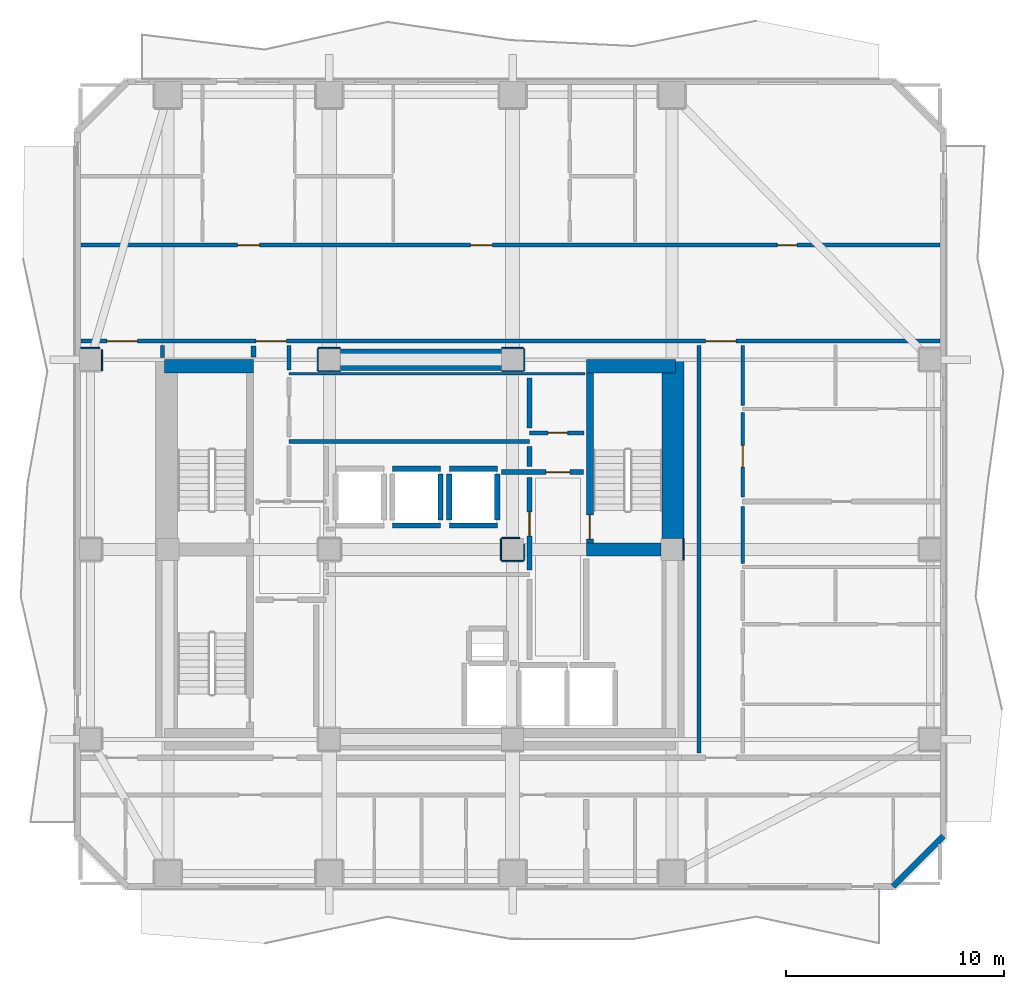
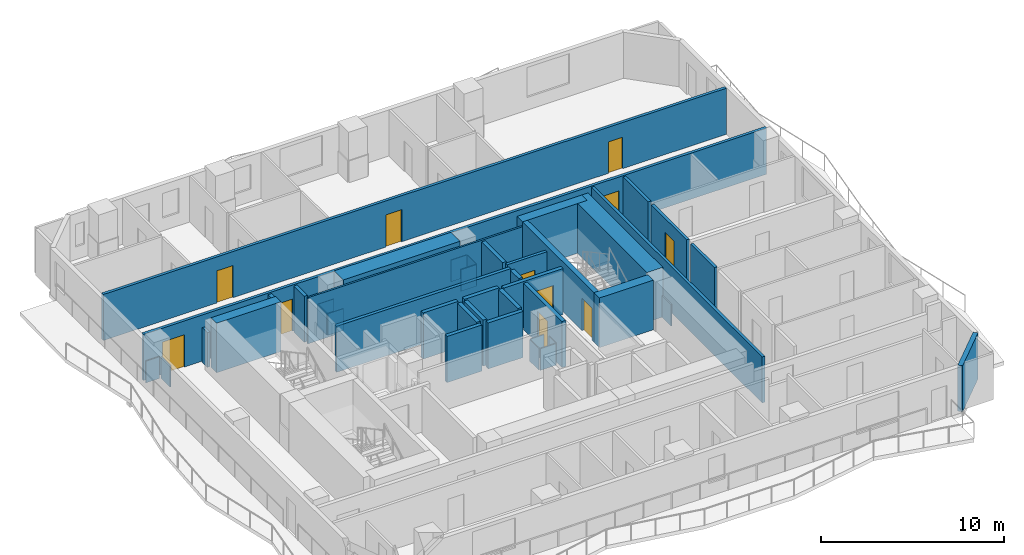
# One storey, part 4 of 11: 43 walls, 11 doors, 11 openings.
"""IFC4 building model written with IfcOpenShell, lengths in metres."""

from ifc_helpers import new_model, si_unit, direction, frame, frame_2d, origin, place, context, subcontext, project, spatial, rectangle, extrude, material, layer, layer_set, type_object, element, fill, save


model = new_model("IFC4")

# Units and contexts
model_context = context("Model", 3, precision=1e-05, world=origin(), true_north=direction((0.0, 1.0)))
body_context = subcontext(model_context, "Body", "Model", "MODEL_VIEW")
ifc_project = project(units=[si_unit("LENGTHUNIT", "METRE"), si_unit("AREAUNIT", "SQUARE_METRE"), si_unit("VOLUMEUNIT", "CUBIC_METRE"), si_unit("PLANEANGLEUNIT", "RADIAN"), si_unit("MASSUNIT", "GRAM", prefix="KILO")], contexts=[model_context])

# Site, building, storey
site_placement = place(None, origin())
site = spatial("IfcSite", under=ifc_project, at=site_placement, CompositionType="ELEMENT")
building_placement = place(site_placement, origin())
building = spatial("IfcBuilding", under=site, at=building_placement, Name="Solanera Arch Residences", CompositionType="ELEMENT")
storey_placement = place(building_placement, frame((0.0, 0.0, 149.239990234375)))
storey = spatial("IfcBuildingStorey", under=building, at=storey_placement, Name="L43", CompositionType="ELEMENT", Elevation=149.239990234375)

# Walls
ifc_material_1 = material(Name="Fire-Rated Gypsum Stud Partition", Category="gypsum")
ifc_layer_1 = layer(ifc_material_1, 0.06005859375)
ifc_layer_set_1 = layer_set([ifc_layer_1], Name="Fire-Rated Gypsum Stud Partition")
wall_type_1 = type_object("IfcWallType", Name="Column Acoustic Furring Wall 60", PredefinedType="PARTITIONING", material=ifc_layer_set_1)
for number, where, z_axis, x_axis, name in (
    (1, (20.300048828125, 38.867919921875, 0.0), (0.0, 0.0, 1.0), (1.0, 0.0, 0.0), "L43 Column Furring 3S"),
    (2, (20.300048828125, 39.931884765625, 0.0), (0.0, 0.0, 1.0), (1.0, 0.0, 0.0), "L43 Column Furring 3N"),
    (3, (20.26806640625, 38.89990234375, 0.0), (0.0, 0.0, 1.0), (0.0, 1.0, 0.0), "L43 Column Furring 3W"),
    (4, (28.699951171875, 38.867919921875, 0.0), (0.0, 0.0, 1.0), (1.0, 0.0, 0.0), "L43 Column Furring 4S"),
    (5, (28.699951171875, 39.931884765625, 0.0), (0.0, 0.0, 1.0), (1.0, 0.0, 0.0), "L43 Column Furring 4N"),
    (6, (29.73193359375, 38.89990234375, 0.0), (0.0, 0.0, 1.0), (0.0, 1.0, 0.0), "L43 Column Furring 4E"),
):
    element("IfcWall", number, at=place(storey_placement, frame(where, z_axis=z_axis, x_axis=x_axis)), inside=storey, type_object=wall_type_1, Name=name, PredefinedType="PARTITIONING", context=body_context, shape_type="SweptSolid", body=[
        extrude(rectangle(XDim=1.0, YDim=0.06005859375, at=frame_2d((0.5, 0.0))), origin(), (0.0, 0.0, 1.0), 1.449951171875),
    ])
wall_1_placement = place(storey_placement, frame((37.031982421875, 30.2099609375, 0.0), z_axis=(0.0, 0.0, 1.0), x_axis=(0.0, 1.0, 0.0)))
element("IfcWall", 7, at=wall_1_placement, inside=storey, type_object=wall_type_1, Name="L43 Column Furring 6E", PredefinedType="PARTITIONING", context=body_context, shape_type="SweptSolid", body=[
    extrude(rectangle(XDim=0.97998046875, YDim=0.06005859375, at=frame_2d((0.489990234375, 0.0))), origin(), (0.0, 0.0, 1.0), 1.449951171875),
])
wall_2_placement = place(storey_placement, frame((28.699951171875, 30.16796875, 0.0), z_axis=(0.0, 0.0, 1.0), x_axis=(1.0, 0.0, 0.0)))
element("IfcWall", 8, at=wall_2_placement, inside=storey, type_object=wall_type_1, Name="L43 Column Furring 8S", PredefinedType="PARTITIONING", context=body_context, shape_type="SweptSolid", body=[
    extrude(rectangle(XDim=1.0, YDim=0.06005859375, at=frame_2d((0.5, 0.0))), origin(), (0.0, 0.0, 1.0), 1.449951171875),
])
wall_3_placement = place(storey_placement, frame((28.699951171875, 31.23193359375, 0.0), z_axis=(0.0, 0.0, 1.0), x_axis=(1.0, 0.0, 0.0)))
element("IfcWall", 9, at=wall_3_placement, inside=storey, type_object=wall_type_1, Name="L43 Column Furring 8N", PredefinedType="PARTITIONING", context=body_context, shape_type="SweptSolid", body=[
    extrude(rectangle(XDim=0.8349609375, YDim=0.06005859375, at=frame_2d((0.41748046875, 0.0))), origin(), (0.0, 0.0, 1.0), 1.449951171875),
])
wall_4_placement = place(storey_placement, frame((28.66796875, 30.199951171875, 0.0), z_axis=(0.0, 0.0, 1.0), x_axis=(0.0, 1.0, 0.0)))
element("IfcWall", 10, at=wall_4_placement, inside=storey, type_object=wall_type_1, Name="L43 Column Furring 8W", PredefinedType="PARTITIONING", context=body_context, shape_type="SweptSolid", body=[
    extrude(rectangle(XDim=1.0, YDim=0.06005859375, at=frame_2d((0.5, 0.0))), origin(), (0.0, 0.0, 1.0), 1.449951171875),
])
wall_5_placement = place(storey_placement, frame((29.73193359375, 30.199951171875, 0.0), z_axis=(0.0, 0.0, 1.0), x_axis=(0.0, 1.0, 0.0)))
element("IfcWall", 11, at=wall_5_placement, inside=storey, type_object=wall_type_1, Name="L43 Column Furring 8E", PredefinedType="PARTITIONING", context=body_context, shape_type="SweptSolid", body=[
    extrude(rectangle(XDim=0.7470703125, YDim=0.06005859375, at=frame_2d((0.37353515625, 0.0))), origin(), (0.0, 0.0, 1.0), 1.449951171875),
])
wall_6_placement = place(storey_placement, frame((9.409912109375, 39.931884765625, 0.0), z_axis=(0.0, 0.0, 1.0), x_axis=(1.0, 0.0, 0.0)))
element("IfcWall", 12, at=wall_6_placement, inside=storey, type_object=wall_type_1, Name="L43 Column Furring 21N", PredefinedType="PARTITIONING", context=body_context, shape_type="SweptSolid", body=[
    extrude(rectangle(XDim=0.87109375, YDim=0.06005859375, at=frame_2d((0.435546875, 0.0))), origin(), (0.0, 0.0, 1.0), 1.449951171875),
])
wall_7_placement = place(storey_placement, frame((10.382080078125, 38.89990234375, 0.0), z_axis=(0.0, 0.0, 1.0), x_axis=(0.0, 1.0, 0.0)))
element("IfcWall", 13, at=wall_7_placement, inside=storey, type_object=wall_type_1, Name="L43 Column Furring 21E", PredefinedType="PARTITIONING", context=body_context, shape_type="SweptSolid", body=[
    extrude(rectangle(XDim=0.9560546875, YDim=0.06005859375, at=frame_2d((0.47802734375, 0.0))), origin(), (0.0, 0.0, 1.0), 1.449951171875),
])
ifc_material_2 = material(Name="Concrete C55/67 (f'c = 60 MPa)", Category="concrete")
ifc_layer_2 = layer(ifc_material_2, 1.0)
ifc_layer_set_2 = layer_set([ifc_layer_2], Name="Concrete C55/67 (f'c = 60 MPa)")
wall_type_2 = type_object("IfcWallType", Name="Core Shear Wall CW-1000", PredefinedType="SHEAR", material=ifc_layer_set_2)
wall_8_placement = place(storey_placement, frame((36.56005859375, 31.205078125, 0.0), z_axis=(0.0, 0.0, 1.0), x_axis=(0.0, 1.0, 0.0)))
element("IfcWall", 14, at=wall_8_placement, inside=storey, type_object=wall_type_2, Name="L43 East Core North Shear Wall", PredefinedType="SHEAR", context=body_context, shape_type="SweptSolid", body=[
    extrude(rectangle(XDim=8.19482421875, YDim=1.0, at=frame_2d((4.097412109375, 0.0))), origin(), (0.0, 0.0, 1.0), 3.320068359375),
])
wall_9_placement = place(storey_placement, frame((21.304931640625, 39.39990234375, 0.0), z_axis=(0.0, 0.0, 1.0), x_axis=(1.0, 0.0, 0.0)))
element("IfcWall", 15, at=wall_9_placement, inside=storey, type_object=wall_type_2, Name="L43 Central North Core Shear Wall", PredefinedType="SHEAR", context=body_context, shape_type="SweptSolid", body=[
    extrude(rectangle(XDim=7.39013671875, YDim=1.0, at=frame_2d((3.695068359375, 0.0))), origin(), (0.0, 0.0, 1.0), 3.320068359375),
])

# Wall, opening, door
ifc_material_3 = material(Name="Concrete C40/50 (f'c = 45 MPa)", Category="concrete")
ifc_layer_3 = layer(ifc_material_3, 0.320068359375)
ifc_layer_set_3 = layer_set([ifc_layer_3], Name="Concrete C40/50 (f'c = 45 MPa)")
wall_type_3 = type_object("IfcWallType", Name="Core Shear Wall CW-320", PredefinedType="SHEAR", material=ifc_layer_set_3)
wall_10_placement = place(storey_placement, frame((32.739990234375, 31.0, 0.0), z_axis=(0.0, 0.0, 1.0), x_axis=(0.0, 1.0, 0.0)))
wall_10 = element("IfcWall", 16, at=wall_10_placement, inside=storey, type_object=wall_type_3, Name="L43 Stair ST-T2 West Shear Wall", PredefinedType="SHEAR", context=body_context, shape_type="SweptSolid", body=[
    extrude(rectangle(XDim=7.800048828125, YDim=0.320068359375, at=frame_2d((3.89990234375, 0.0))), origin(), (0.0, 0.0, 1.0), 3.320068359375),
])
opening_1_placement = place(wall_10_placement, frame((0.18994140625, 0.0, 0.0)))
opening_1 = element("IfcOpeningElement", 17, at=opening_1_placement, cuts=wall_10, Name="Opening DF-01", PredefinedType="OPENING", context=body_context, shape_type="SweptSolid", body=[
    extrude(rectangle(XDim=1.10009765625, YDim=2.14990234375, at=frame_2d((0.550048828125, 1.074951171875))), frame((0.0, 0.169921875, 0.0), z_axis=(0.0, -1.0, 0.0), x_axis=(1.0, 0.0, 0.0)), (0.0, 0.0, 1.0), 0.3401),
])
ifc_material_4 = material(Name="Fire-Rated Architectural Hardwood", Category="wood")
door_type_1 = type_object("IfcDoorType", Name="Stair Exit Fire Door DF-01", OperationType="NOTDEFINED", PredefinedType="DOOR", material=ifc_material_4)
door_1_placement = place(opening_1_placement, origin())
door_1 = element("IfcDoor", 18, at=door_1_placement, inside=storey, type_object=door_type_1, Name="DR-L43-STAIR-ST-T2", OperationType="SINGLE_SWING_LEFT", OverallHeight=2.14990234375, OverallWidth=1.10009765625, PredefinedType="DOOR", context=body_context, shape_type="SweptSolid", body=[
    extrude(rectangle(XDim=1.10009765625, YDim=2.14990234375, at=frame_2d((0.550048828125, 1.074951171875))), frame((0.0, 0.02490234375, 0.0), z_axis=(0.0, -1.0, 0.0), x_axis=(1.0, 0.0, 0.0)), (0.0, 0.0, 1.0), 0.050048828125),
])
fill(opening_1, door_1)

# Walls
ifc_material_5 = material(Name="Concrete C40/50 (f'c = 45 MPa)", Category="concrete")
ifc_layer_4 = layer(ifc_material_5, 0.60009765625)
ifc_layer_set_4 = layer_set([ifc_layer_4], Name="Concrete C40/50 (f'c = 45 MPa)")
wall_type_4 = type_object("IfcWallType", Name="Core Shear Wall CW-600", PredefinedType="SHEAR", material=ifc_layer_set_4)
wall_11_placement = place(storey_placement, frame((13.239990234375, 39.10009765625, 0.0), z_axis=(0.0, 0.0, 1.0), x_axis=(1.0, 0.0, 0.0)))
element("IfcWall", 19, at=wall_11_placement, inside=storey, type_object=wall_type_4, Name="L43 North-West Core Shear Wall", PredefinedType="SHEAR", context=body_context, shape_type="SweptSolid", body=[
    extrude(rectangle(XDim=4.080078125, YDim=0.60009765625, at=frame_2d((2.0400390625, 0.0))), origin(), (0.0, 0.0, 1.0), 3.320068359375),
])
wall_12_placement = place(storey_placement, frame((32.580078125, 39.10009765625, 0.0), z_axis=(0.0, 0.0, 1.0), x_axis=(1.0, 0.0, 0.0)))
element("IfcWall", 20, at=wall_12_placement, inside=storey, type_object=wall_type_4, Name="L43 North-East Core Shear Wall", PredefinedType="SHEAR", context=body_context, shape_type="SweptSolid", body=[
    extrude(rectangle(XDim=4.079833984375, YDim=0.60009765625, at=frame_2d((2.0400390625, 0.0))), origin(), (0.0, 0.0, 1.0), 3.320068359375),
])
wall_13_placement = place(storey_placement, frame((32.580078125, 30.699951171875, 0.0), z_axis=(0.0, 0.0, 1.0), x_axis=(1.0, 0.0, 0.0)))
element("IfcWall", 21, at=wall_13_placement, inside=storey, type_object=wall_type_4, Name="L43 East Stair Far-Landing Shear Wall", PredefinedType="SHEAR", context=body_context, shape_type="SweptSolid", body=[
    extrude(rectangle(XDim=3.4150390625, YDim=0.60009765625, at=frame_2d((1.70751953125, 0.0))), origin(), (0.0, 0.0, 1.0), 3.320068359375),
])

# Wall, opening, door
ifc_material_6 = material(Name="Autoclaved Aerated Concrete Blockwork", Category="masonry")
ifc_layer_5 = layer(ifc_material_6, 0.179931640625)
ifc_layer_set_5 = layer_set([ifc_layer_5], Name="Autoclaved Aerated Concrete Blockwork")
wall_type_5 = type_object("IfcWallType", Name="Corridor Fire Partition 180", PredefinedType="PARTITIONING", material=ifc_layer_set_5)
wall_14_placement = place(storey_placement, frame((29.97509765625, 36.050048828125, 0.0), z_axis=(0.0, 0.0, 1.0), x_axis=(1.0, 0.0, 0.0)))
wall_14 = element("IfcWall", 22, at=wall_14_placement, inside=storey, type_object=wall_type_5, Name="L43 Interior Partition H11", PredefinedType="PARTITIONING", context=body_context, shape_type="SweptSolid", body=[
    extrude(rectangle(XDim=2.5048828125, YDim=0.179931640625, at=frame_2d((1.25244140625, 0.0))), origin(), (0.0, 0.0, 1.0), 3.080078125),
])
opening_2_placement = place(wall_14_placement, frame((0.85205078125, 0.0, 0.0)))
opening_2 = element("IfcOpeningElement", 23, at=opening_2_placement, cuts=wall_14, Name="Opening DI-02", PredefinedType="OPENING", context=body_context, shape_type="SweptSolid", body=[
    extrude(rectangle(XDim=0.89990234375, YDim=2.10009765625, at=frame_2d((0.449951171875, 1.050048828125))), frame((0.0, 0.10009765625, 0.0), z_axis=(0.0, -1.0, 0.0), x_axis=(1.0, 0.0, 0.0)), (0.0, 0.0, 1.0), 0.1999),
])
ifc_material_7 = material(Name="Fire-Rated Architectural Hardwood", Category="wood")
door_type_2 = type_object("IfcDoorType", Name="Suite Room Swing Door DI-02", OperationType="NOTDEFINED", PredefinedType="DOOR", material=ifc_material_7)
door_2_placement = place(opening_2_placement, origin())
door_2 = element("IfcDoor", 24, at=door_2_placement, inside=storey, type_object=door_type_2, Name="DR-L43-IN-015", OperationType="SINGLE_SWING_RIGHT", OverallHeight=2.10009765625, OverallWidth=0.89990234375, PredefinedType="DOOR", context=body_context, shape_type="SweptSolid", body=[
    extrude(rectangle(XDim=0.89990234375, YDim=2.10009765625, at=frame_2d((0.449951171875, 1.050048828125))), frame((0.0, 0.02490234375, 0.0), z_axis=(0.0, -1.0, 0.0), x_axis=(1.0, 0.0, 0.0)), (0.0, 0.0, 1.0), 0.050048828125),
])
fill(opening_2, door_2)

# Wall, openings, doors
wall_15_placement = place(storey_placement, frame((9.406982421875, 40.25, 0.0), z_axis=(0.0, 0.0, 1.0), x_axis=(1.0, 0.0, 0.0)))
wall_15 = element("IfcWall", 25, at=wall_15_placement, inside=storey, type_object=wall_type_5, Name="L43 Interior Partition H12", PredefinedType="PARTITIONING", context=body_context, shape_type="SweptSolid", body=[
    extrude(rectangle(XDim=39.385986328125, YDim=0.179931640625, at=frame_2d((19.69287109375, 0.0))), origin(), (0.0, 0.0, 1.0), 3.080078125),
])
opening_3_placement = place(wall_15_placement, frame((8.028076171875, 0.0, 0.0)))
opening_3 = element("IfcOpeningElement", 26, at=opening_3_placement, cuts=wall_15, Name="Opening DF-03", PredefinedType="OPENING", context=body_context, shape_type="SweptSolid", body=[
    extrude(rectangle(XDim=1.39990234375, YDim=2.14990234375, at=frame_2d((0.699951171875, 1.074951171875))), frame((0.0, 0.10009765625, 0.0), z_axis=(0.0, -1.0, 0.0), x_axis=(1.0, 0.0, 0.0)), (0.0, 0.0, 1.0), 0.1999),
])
opening_4_placement = place(wall_15_placement, frame((1.19189453125, 0.0, 0.0)))
opening_4 = element("IfcOpeningElement", 27, at=opening_4_placement, cuts=wall_15, Name="Opening DF-03", PredefinedType="OPENING", context=body_context, shape_type="SweptSolid", body=[
    extrude(rectangle(XDim=1.39990234375, YDim=2.14990234375, at=frame_2d((0.699951171875, 1.074951171875))), frame((0.0, 0.10009765625, 0.0), z_axis=(0.0, -1.0, 0.0), x_axis=(1.0, 0.0, 0.0)), (0.0, 0.0, 1.0), 0.1999),
])
opening_5_placement = place(wall_15_placement, frame((28.64306640625, 0.0, 0.0)))
opening_5 = element("IfcOpeningElement", 28, at=opening_5_placement, cuts=wall_15, Name="Opening DF-03", PredefinedType="OPENING", context=body_context, shape_type="SweptSolid", body=[
    extrude(rectangle(XDim=1.39990234375, YDim=2.14990234375, at=frame_2d((0.699951171875, 1.074951171875))), frame((0.0, 0.10009765625, 0.0), z_axis=(0.0, -1.0, 0.0), x_axis=(1.0, 0.0, 0.0)), (0.0, 0.0, 1.0), 0.1999),
])
ifc_material_8 = material(Name="Fire-Rated Architectural Hardwood", Category="wood")
door_type_3 = type_object("IfcDoorType", Name="Corridor Smoke Door DF-03", OperationType="NOTDEFINED", PredefinedType="DOOR", material=ifc_material_8)
door_3_placement = place(opening_3_placement, origin())
door_3 = element("IfcDoor", 29, at=door_3_placement, inside=storey, type_object=door_type_3, Name="DR-L43-IN-009", OperationType="SINGLE_SWING_RIGHT", OverallHeight=2.14990234375, OverallWidth=1.39990234375, PredefinedType="DOOR", context=body_context, shape_type="SweptSolid", body=[
    extrude(rectangle(XDim=1.39990234375, YDim=2.14990234375, at=frame_2d((0.699951171875, 1.074951171875))), frame((0.0, 0.02490234375, 0.0), z_axis=(0.0, -1.0, 0.0), x_axis=(1.0, 0.0, 0.0)), (0.0, 0.0, 1.0), 0.050048828125),
])
fill(opening_3, door_3)
door_4_placement = place(opening_4_placement, origin())
door_4 = element("IfcDoor", 30, at=door_4_placement, inside=storey, type_object=door_type_3, Name="DR-L43-IN-012", OperationType="SINGLE_SWING_LEFT", OverallHeight=2.14990234375, OverallWidth=1.39990234375, PredefinedType="DOOR", context=body_context, shape_type="SweptSolid", body=[
    extrude(rectangle(XDim=1.39990234375, YDim=2.14990234375, at=frame_2d((0.699951171875, 1.074951171875))), frame((0.0, 0.02490234375, 0.0), z_axis=(0.0, -1.0, 0.0), x_axis=(1.0, 0.0, 0.0)), (0.0, 0.0, 1.0), 0.050048828125),
])
fill(opening_4, door_4)
door_5_placement = place(opening_5_placement, origin())
door_5 = element("IfcDoor", 31, at=door_5_placement, inside=storey, type_object=door_type_3, Name="DR-L43-IN-013", OperationType="SINGLE_SWING_RIGHT", OverallHeight=2.14990234375, OverallWidth=1.39990234375, PredefinedType="DOOR", context=body_context, shape_type="SweptSolid", body=[
    extrude(rectangle(XDim=1.39990234375, YDim=2.14990234375, at=frame_2d((0.699951171875, 1.074951171875))), frame((0.0, 0.02490234375, 0.0), z_axis=(0.0, -1.0, 0.0), x_axis=(1.0, 0.0, 0.0)), (0.0, 0.0, 1.0), 0.050048828125),
])
fill(opening_5, door_5)

wall_16_placement = place(storey_placement, frame((9.406982421875, 44.64990234375, 0.0), z_axis=(0.0, 0.0, 1.0), x_axis=(1.0, 0.0, 0.0)))
wall_16 = element("IfcWall", 32, at=wall_16_placement, inside=storey, type_object=wall_type_5, Name="L43 Interior Partition H13", PredefinedType="PARTITIONING", context=body_context, shape_type="SweptSolid", body=[
    extrude(rectangle(XDim=39.385986328125, YDim=0.179931640625, at=frame_2d((19.69287109375, 0.0))), origin(), (0.0, 0.0, 1.0), 3.080078125),
])
opening_6_placement = place(wall_16_placement, frame((7.193115234375, 0.0, 0.0)))
opening_6 = element("IfcOpeningElement", 33, at=opening_6_placement, cuts=wall_16, Name="Opening DI-01", PredefinedType="OPENING", context=body_context, shape_type="SweptSolid", body=[
    extrude(rectangle(XDim=1.0, YDim=2.14990234375, at=frame_2d((0.5, 1.074951171875))), frame((0.0, 0.10009765625, 0.0), z_axis=(0.0, -1.0, 0.0), x_axis=(1.0, 0.0, 0.0)), (0.0, 0.0, 1.0), 0.1999),
])
opening_7_placement = place(wall_16_placement, frame((17.865966796875, 0.0, 0.0)))
opening_7 = element("IfcOpeningElement", 34, at=opening_7_placement, cuts=wall_16, Name="Opening DI-01", PredefinedType="OPENING", context=body_context, shape_type="SweptSolid", body=[
    extrude(rectangle(XDim=1.0, YDim=2.14990234375, at=frame_2d((0.5, 1.074951171875))), frame((0.0, 0.10009765625, 0.0), z_axis=(0.0, -1.0, 0.0), x_axis=(1.0, 0.0, 0.0)), (0.0, 0.0, 1.0), 0.1999),
])
opening_8_placement = place(wall_16_placement, frame((31.928955078125, 0.0, 0.0)))
opening_8 = element("IfcOpeningElement", 35, at=opening_8_placement, cuts=wall_16, Name="Opening DI-02", PredefinedType="OPENING", context=body_context, shape_type="SweptSolid", body=[
    extrude(rectangle(XDim=0.89990234375, YDim=2.10009765625, at=frame_2d((0.449951171875, 1.050048828125))), frame((0.0, 0.10009765625, 0.0), z_axis=(0.0, -1.0, 0.0), x_axis=(1.0, 0.0, 0.0)), (0.0, 0.0, 1.0), 0.1999),
])
door_6_placement = place(opening_8_placement, origin())
door_6 = element("IfcDoor", 36, at=door_6_placement, inside=storey, type_object=door_type_2, Name="DR-L43-IN-034", OperationType="SINGLE_SWING_LEFT", OverallHeight=2.10009765625, OverallWidth=0.89990234375, PredefinedType="DOOR", context=body_context, shape_type="SweptSolid", body=[
    extrude(rectangle(XDim=0.89990234375, YDim=2.10009765625, at=frame_2d((0.449951171875, 1.050048828125))), frame((0.0, 0.02490234375, 0.0), z_axis=(0.0, -1.0, 0.0), x_axis=(1.0, 0.0, 0.0)), (0.0, 0.0, 1.0), 0.050048828125),
])
fill(opening_8, door_6)
ifc_material_9 = material(Name="Fire-Rated Architectural Hardwood", Category="wood")
door_type_4 = type_object("IfcDoorType", Name="Unit Entrance Fire Door DI-01", OperationType="NOTDEFINED", PredefinedType="DOOR", material=ifc_material_9)
door_7_placement = place(opening_6_placement, origin())
door_7 = element("IfcDoor", 37, at=door_7_placement, inside=storey, type_object=door_type_4, Name="DR-L43-IN-026", OperationType="SINGLE_SWING_LEFT", OverallHeight=2.14990234375, OverallWidth=1.0, PredefinedType="DOOR", context=body_context, shape_type="SweptSolid", body=[
    extrude(rectangle(XDim=1.0, YDim=2.14990234375, at=frame_2d((0.5, 1.074951171875))), frame((0.0, 0.02490234375, 0.0), z_axis=(0.0, -1.0, 0.0), x_axis=(1.0, 0.0, 0.0)), (0.0, 0.0, 1.0), 0.050048828125),
])
fill(opening_6, door_7)
door_8_placement = place(opening_7_placement, origin())
door_8 = element("IfcDoor", 38, at=door_8_placement, inside=storey, type_object=door_type_4, Name="DR-L43-IN-031", OperationType="SINGLE_SWING_RIGHT", OverallHeight=2.14990234375, OverallWidth=1.0, PredefinedType="DOOR", context=body_context, shape_type="SweptSolid", body=[
    extrude(rectangle(XDim=1.0, YDim=2.14990234375, at=frame_2d((0.5, 1.074951171875))), frame((0.0, 0.02490234375, 0.0), z_axis=(0.0, -1.0, 0.0), x_axis=(1.0, 0.0, 0.0)), (0.0, 0.0, 1.0), 0.050048828125),
])
fill(opening_7, door_8)

# Walls
wall_17_placement = place(storey_placement, frame((13.14990234375, 39.5, 0.0), z_axis=(0.0, 0.0, 1.0), x_axis=(0.0, 1.0, 0.0)))
element("IfcWall", 39, at=wall_17_placement, inside=storey, type_object=wall_type_5, Name="L43 Interior Partition V9", PredefinedType="PARTITIONING", context=body_context, shape_type="SweptSolid", body=[
    extrude(rectangle(XDim=0.56201171875, YDim=0.179931640625, at=frame_2d((0.281005859375, 0.0))), origin(), (0.0, 0.0, 1.0), 2.31494140625),
])
wall_18_placement = place(storey_placement, frame((37.75, 21.367919921875, 0.0), z_axis=(0.0, 0.0, 1.0), x_axis=(0.0, 1.0, 0.0)))
element("IfcWall", 40, at=wall_18_placement, inside=storey, type_object=wall_type_5, Name="L43 Interior Partition V11", PredefinedType="PARTITIONING", context=body_context, shape_type="SweptSolid", body=[
    extrude(rectangle(XDim=18.694091796875, YDim=0.179931640625, at=frame_2d((9.34716796875, 0.0))), origin(), (0.0, 0.0, 1.0), 3.080078125),
])
wall_19_placement = place(storey_placement, frame((39.75, 30.068115234375, 0.0), z_axis=(0.0, 0.0, 1.0), x_axis=(0.0, 1.0, 0.0)))
element("IfcWall", 41, at=wall_19_placement, inside=storey, type_object=wall_type_5, Name="L43 Interior Partition V12 4", PredefinedType="PARTITIONING", context=body_context, shape_type="SweptSolid", body=[
    extrude(rectangle(XDim=2.61376953125, YDim=0.179931640625, at=frame_2d((1.306884765625, 0.0))), origin(), (0.0, 0.0, 1.0), 3.080078125),
])

# Wall, opening, door
wall_20_placement = place(storey_placement, frame((39.75, 33.117919921875, 0.0), z_axis=(0.0, 0.0, 1.0), x_axis=(0.0, 1.0, 0.0)))
wall_20 = element("IfcWall", 42, at=wall_20_placement, inside=storey, type_object=wall_type_5, Name="L43 Interior Partition V12 5", PredefinedType="PARTITIONING", context=body_context, shape_type="SweptSolid", body=[
    extrude(rectangle(XDim=3.859130859375, YDim=0.179931640625, at=frame_2d((1.9296875, 0.0))), origin(), (0.0, 0.0, 1.0), 3.080078125),
])
opening_9_placement = place(wall_20_placement, frame((1.35400390625, 0.0, 0.0)))
opening_9 = element("IfcOpeningElement", 43, at=opening_9_placement, cuts=wall_20, Name="Opening DI-01", PredefinedType="OPENING", context=body_context, shape_type="SweptSolid", body=[
    extrude(rectangle(XDim=1.0, YDim=2.14990234375, at=frame_2d((0.5, 1.074951171875))), frame((0.0, 0.10009765625, 0.0), z_axis=(0.0, -1.0, 0.0), x_axis=(1.0, 0.0, 0.0)), (0.0, 0.0, 1.0), 0.1999),
])
door_9_placement = place(opening_9_placement, origin())
door_9 = element("IfcDoor", 44, at=door_9_placement, inside=storey, type_object=door_type_4, Name="DR-L43-IN-039", OperationType="SINGLE_SWING_RIGHT", OverallHeight=2.14990234375, OverallWidth=1.0, PredefinedType="DOOR", context=body_context, shape_type="SweptSolid", body=[
    extrude(rectangle(XDim=1.0, YDim=2.14990234375, at=frame_2d((0.5, 1.074951171875))), frame((0.0, 0.02490234375, 0.0), z_axis=(0.0, -1.0, 0.0), x_axis=(1.0, 0.0, 0.0)), (0.0, 0.0, 1.0), 0.050048828125),
])
fill(opening_9, door_9)

# Walls
wall_21_placement = place(storey_placement, frame((39.75, 37.31298828125, 0.0), z_axis=(0.0, 0.0, 1.0), x_axis=(0.0, 1.0, 0.0)))
element("IfcWall", 45, at=wall_21_placement, inside=storey, type_object=wall_type_5, Name="L43 Interior Partition V12 6", PredefinedType="PARTITIONING", context=body_context, shape_type="SweptSolid", body=[
    extrude(rectangle(XDim=2.7490234375, YDim=0.179931640625, at=frame_2d((1.37451171875, 0.0))), origin(), (0.0, 0.0, 1.0), 3.080078125),
])
ifc_material_10 = material(Name="Precast Concrete C35/45", Category="concrete")
ifc_layer_6 = layer(ifc_material_10, 0.280029296875)
ifc_layer_set_6 = layer_set([ifc_layer_6], Name="Precast Concrete C35/45")
wall_type_6 = type_object("IfcWallType", Name="Exterior Wall Precast Masonry-Frame 280", PredefinedType="STANDARD", material=ifc_layer_set_6)
wall_22_placement = place(storey_placement, frame((48.945068359375, 17.554931640625, 0.0), z_axis=(0.0, 0.0, 1.0), x_axis=(-0.707106781187, -0.707106781187, 0.0)))
element("IfcWall", 46, at=wall_22_placement, inside=storey, type_object=wall_type_6, Name="L43 Tower Exterior Precast Masonry-Frame Wall CH5", PredefinedType="STANDARD", context=body_context, shape_type="SweptSolid", body=[
    extrude(rectangle(XDim=3.252685546875, YDim=0.280029296875, at=frame_2d((1.62646484375, 0.0))), origin(), (0.0, 0.0, 1.0), 3.080078125),
])
ifc_material_11 = material(Name="Autoclaved Aerated Concrete Blockwork", Category="masonry")
ifc_layer_7 = layer(ifc_material_11, 0.199951171875)
ifc_layer_set_7 = layer_set([ifc_layer_7], Name="Autoclaved Aerated Concrete Blockwork")
wall_type_7 = type_object("IfcWallType", Name="Party Wall Acoustic 200", PredefinedType="PARTITIONING", material=ifc_layer_set_7)
wall_23_placement = place(storey_placement, frame((18.949951171875, 35.64990234375, 0.0), z_axis=(0.0, 0.0, 1.0), x_axis=(1.0, 0.0, 0.0)))
element("IfcWall", 47, at=wall_23_placement, inside=storey, type_object=wall_type_7, Name="L43 Interior Partition H7", PredefinedType="PARTITIONING", context=body_context, shape_type="SweptSolid", body=[
    extrude(rectangle(XDim=11.025146484375, YDim=0.199951171875, at=frame_2d((5.5126953125, 0.0))), origin(), (0.0, 0.0, 1.0), 3.080078125),
])
wall_24_placement = place(storey_placement, frame((18.949951171875, 38.91796875, 0.0), z_axis=(0.0, 0.0, 1.0), x_axis=(0.0, 1.0, 0.0)))
element("IfcWall", 48, at=wall_24_placement, inside=storey, type_object=wall_type_7, Name="L43 Interior Partition V7 3", PredefinedType="PARTITIONING", context=body_context, shape_type="SweptSolid", body=[
    extrude(rectangle(XDim=1.134033203125, YDim=0.199951171875, at=frame_2d((0.56689453125, 0.0))), origin(), (0.0, 0.0, 1.0), 3.080078125),
])
ifc_material_12 = material(Name="Autoclaved Aerated Concrete Blockwork", Category="masonry")
ifc_layer_8 = layer(ifc_material_12, 0.239990234375)
ifc_layer_set_8 = layer_set([ifc_layer_8], Name="Autoclaved Aerated Concrete Blockwork")
wall_type_8 = type_object("IfcWallType", Name="Shaft Wall Fire-Rated 240", PredefinedType="PARTITIONING", material=ifc_layer_set_8)
for number, where, z_axis, x_axis, name in (
    (49, (23.699951171875, 31.800048828125, 0.0), (0.0, 0.0, 1.0), (1.0, 0.0, 0.0), "L43 Lift PL-M2 Hoistway Wall S"),
    (50, (23.699951171875, 34.39990234375, 0.0), (0.0, 0.0, 1.0), (1.0, 0.0, 0.0), "L43 Lift PL-M2 Hoistway Wall N"),
):
    element("IfcWall", number, at=place(storey_placement, frame(where, z_axis=z_axis, x_axis=x_axis)), inside=storey, type_object=wall_type_8, Name=name, PredefinedType="PARTITIONING", context=body_context, shape_type="SweptSolid", body=[
        extrude(rectangle(XDim=2.199951171875, YDim=0.239990234375, at=frame_2d((1.10009765625, 0.0))), origin(), (0.0, 0.0, 1.0), 3.080078125),
    ])
wall_25_placement = place(storey_placement, frame((25.89990234375, 32.048095703125, 0.0), z_axis=(0.0, 0.0, 1.0), x_axis=(0.0, 1.0, 0.0)))
element("IfcWall", 51, at=wall_25_placement, inside=storey, type_object=wall_type_8, Name="L43 Lift PL-M2 Hoistway Wall E", PredefinedType="PARTITIONING", context=body_context, shape_type="SweptSolid", body=[
    extrude(rectangle(XDim=2.10400390625, YDim=0.239990234375, at=frame_2d((1.052001953125, 0.0))), origin(), (0.0, 0.0, 1.0), 3.080078125),
])
for number, where, z_axis, x_axis, name in (
    (52, (26.300048828125, 31.800048828125, 0.0), (0.0, 0.0, 1.0), (1.0, 0.0, 0.0), "L43 Lift PL-M3 Hoistway Wall S"),
    (53, (26.300048828125, 34.39990234375, 0.0), (0.0, 0.0, 1.0), (1.0, 0.0, 0.0), "L43 Lift PL-M3 Hoistway Wall N"),
):
    element("IfcWall", number, at=place(storey_placement, frame(where, z_axis=z_axis, x_axis=x_axis)), inside=storey, type_object=wall_type_8, Name=name, PredefinedType="PARTITIONING", context=body_context, shape_type="SweptSolid", body=[
        extrude(rectangle(XDim=2.199951171875, YDim=0.239990234375, at=frame_2d((1.10009765625, 0.0))), origin(), (0.0, 0.0, 1.0), 3.080078125),
    ])
for number, where, z_axis, x_axis, name in (
    (54, (26.300048828125, 32.048095703125, 0.0), (0.0, 0.0, 1.0), (0.0, 1.0, 0.0), "L43 Lift PL-M3 Hoistway Wall W"),
    (55, (28.5, 32.048095703125, 0.0), (0.0, 0.0, 1.0), (0.0, 1.0, 0.0), "L43 Lift PL-M3 Hoistway Wall E"),
):
    element("IfcWall", number, at=place(storey_placement, frame(where, z_axis=z_axis, x_axis=x_axis)), inside=storey, type_object=wall_type_8, Name=name, PredefinedType="PARTITIONING", context=body_context, shape_type="SweptSolid", body=[
        extrude(rectangle(XDim=2.10400390625, YDim=0.239990234375, at=frame_2d((1.052001953125, 0.0))), origin(), (0.0, 0.0, 1.0), 3.080078125),
    ])

# Wall, opening, door
wall_26_placement = place(storey_placement, frame((28.701904296875, 34.25, 0.0), z_axis=(0.0, 0.0, 1.0), x_axis=(1.0, 0.0, 0.0)))
wall_26 = element("IfcWall", 56, at=wall_26_placement, inside=storey, type_object=wall_type_8, Name="L43 Interior Partition H6", PredefinedType="PARTITIONING", context=body_context, shape_type="SweptSolid", body=[
    extrude(rectangle(XDim=3.748046875, YDim=0.239990234375, at=frame_2d((1.8740234375, 0.0))), origin(), (0.0, 0.0, 1.0), 3.080078125),
])
opening_10_placement = place(wall_26_placement, frame((2.02490234375, 0.0, 0.0)))
opening_10 = element("IfcOpeningElement", 57, at=opening_10_placement, cuts=wall_26, Name="Opening DF-02", PredefinedType="OPENING", context=body_context, shape_type="SweptSolid", body=[
    extrude(rectangle(XDim=1.10009765625, YDim=2.14990234375, at=frame_2d((0.550048828125, 1.074951171875))), frame((0.0, 0.1298828125, 0.0), z_axis=(0.0, -1.0, 0.0), x_axis=(1.0, 0.0, 0.0)), (0.0, 0.0, 1.0), 0.26),
])
ifc_material_13 = material(Name="Fire-Rated Architectural Hardwood", Category="wood")
door_type_5 = type_object("IfcDoorType", Name="Firefighting Lobby Fire Door DF-02", OperationType="NOTDEFINED", PredefinedType="DOOR", material=ifc_material_13)
door_10_placement = place(opening_10_placement, origin())
door_10 = element("IfcDoor", 58, at=door_10_placement, inside=storey, type_object=door_type_5, Name="DR-L43-IN-007", OperationType="SINGLE_SWING_RIGHT", OverallHeight=2.14990234375, OverallWidth=1.10009765625, PredefinedType="DOOR", context=body_context, shape_type="SweptSolid", body=[
    extrude(rectangle(XDim=1.10009765625, YDim=2.14990234375, at=frame_2d((0.550048828125, 1.074951171875))), frame((0.0, 0.02490234375, 0.0), z_axis=(0.0, -1.0, 0.0), x_axis=(1.0, 0.0, 0.0)), (0.0, 0.0, 1.0), 0.050048828125),
])
fill(opening_10, door_10)

# Wall
wall_27_placement = place(storey_placement, frame((17.320068359375, 39.530029296875, 0.0), z_axis=(0.0, 0.0, 1.0), x_axis=(0.0, 1.0, 0.0)))
element("IfcWall", 59, at=wall_27_placement, inside=storey, type_object=wall_type_8, Name="L43 Interior Partition V1", PredefinedType="PARTITIONING", context=body_context, shape_type="SweptSolid", body=[
    extrude(rectangle(XDim=0.501953125, YDim=0.239990234375, at=frame_2d((0.2509765625, 0.0))), origin(), (0.0, 0.0, 1.0), 3.080078125),
])

# Wall, opening, door
wall_28_placement = place(storey_placement, frame((29.97509765625, 29.76806640625, 0.0), z_axis=(0.0, 0.0, 1.0), x_axis=(0.0, 1.0, 0.0)))
wall_28 = element("IfcWall", 60, at=wall_28_placement, inside=storey, type_object=wall_type_8, Name="L43 Interior Partition V4 2", PredefinedType="PARTITIONING", context=body_context, shape_type="SweptSolid", body=[
    extrude(rectangle(XDim=4.23388671875, YDim=0.239990234375, at=frame_2d((2.116943359375, 0.0))), origin(), (0.0, 0.0, 1.0), 3.080078125),
])
opening_11_placement = place(wall_28_placement, frame((1.556884765625, 0.0, 0.0)))
opening_11 = element("IfcOpeningElement", 61, at=opening_11_placement, cuts=wall_28, Name="Opening DF-02", PredefinedType="OPENING", context=body_context, shape_type="SweptSolid", body=[
    extrude(rectangle(XDim=1.10009765625, YDim=2.14990234375, at=frame_2d((0.550048828125, 1.074951171875))), frame((0.0, 0.1298828125, 0.0), z_axis=(0.0, -1.0, 0.0), x_axis=(1.0, 0.0, 0.0)), (0.0, 0.0, 1.0), 0.26),
])
door_11_placement = place(opening_11_placement, origin())
door_11 = element("IfcDoor", 62, at=door_11_placement, inside=storey, type_object=door_type_5, Name="DR-L43-IN-006", OperationType="SINGLE_SWING_LEFT", OverallHeight=2.14990234375, OverallWidth=1.10009765625, PredefinedType="DOOR", context=body_context, shape_type="SweptSolid", body=[
    extrude(rectangle(XDim=1.10009765625, YDim=2.14990234375, at=frame_2d((0.550048828125, 1.074951171875))), frame((0.0, 0.02490234375, 0.0), z_axis=(0.0, -1.0, 0.0), x_axis=(1.0, 0.0, 0.0)), (0.0, 0.0, 1.0), 0.050048828125),
])
fill(opening_11, door_11)

# Walls
wall_29_placement = place(storey_placement, frame((29.97509765625, 34.498046875, 0.0), z_axis=(0.0, 0.0, 1.0), x_axis=(0.0, 1.0, 0.0)))
element("IfcWall", 63, at=wall_29_placement, inside=storey, type_object=wall_type_8, Name="L43 Interior Partition V4 3", PredefinedType="PARTITIONING", context=body_context, shape_type="SweptSolid", body=[
    extrude(rectangle(XDim=0.924072265625, YDim=0.239990234375, at=frame_2d((0.4619140625, 0.0))), origin(), (0.0, 0.0, 1.0), 3.080078125),
])
wall_30_placement = place(storey_placement, frame((29.97509765625, 36.26806640625, 0.0), z_axis=(0.0, 0.0, 1.0), x_axis=(0.0, 1.0, 0.0)))
element("IfcWall", 64, at=wall_30_placement, inside=storey, type_object=wall_type_8, Name="L43 Interior Partition V4 4", PredefinedType="PARTITIONING", context=body_context, shape_type="SweptSolid", body=[
    extrude(rectangle(XDim=2.2939453125, YDim=0.239990234375, at=frame_2d((1.14697265625, 0.0))), origin(), (0.0, 0.0, 1.0), 3.080078125),
])
ifc_material_14 = material(Name="Fire-Rated Gypsum Stud Partition", Category="gypsum")
ifc_layer_9 = layer(ifc_material_14, 0.1201171875)
ifc_layer_set_9 = layer_set([ifc_layer_9], Name="Fire-Rated Gypsum Stud Partition")
wall_type_9 = type_object("IfcWallType", Name="Unit Drywall Partition 120", PredefinedType="PARTITIONING", material=ifc_layer_set_9)
wall_31_placement = place(storey_placement, frame((18.949951171875, 38.75, 0.0), z_axis=(0.0, 0.0, 1.0), x_axis=(1.0, 0.0, 0.0)))
element("IfcWall", 65, at=wall_31_placement, inside=storey, type_object=wall_type_9, Name="L43 Interior Partition H23", PredefinedType="PARTITIONING", context=body_context, shape_type="SweptSolid", body=[
    extrude(rectangle(XDim=13.56005859375, YDim=0.1201171875, at=frame_2d((6.780029296875, 0.0))), origin(), (0.0, 0.0, 1.0), 3.080078125),
])

save(model, "model.ifc")
